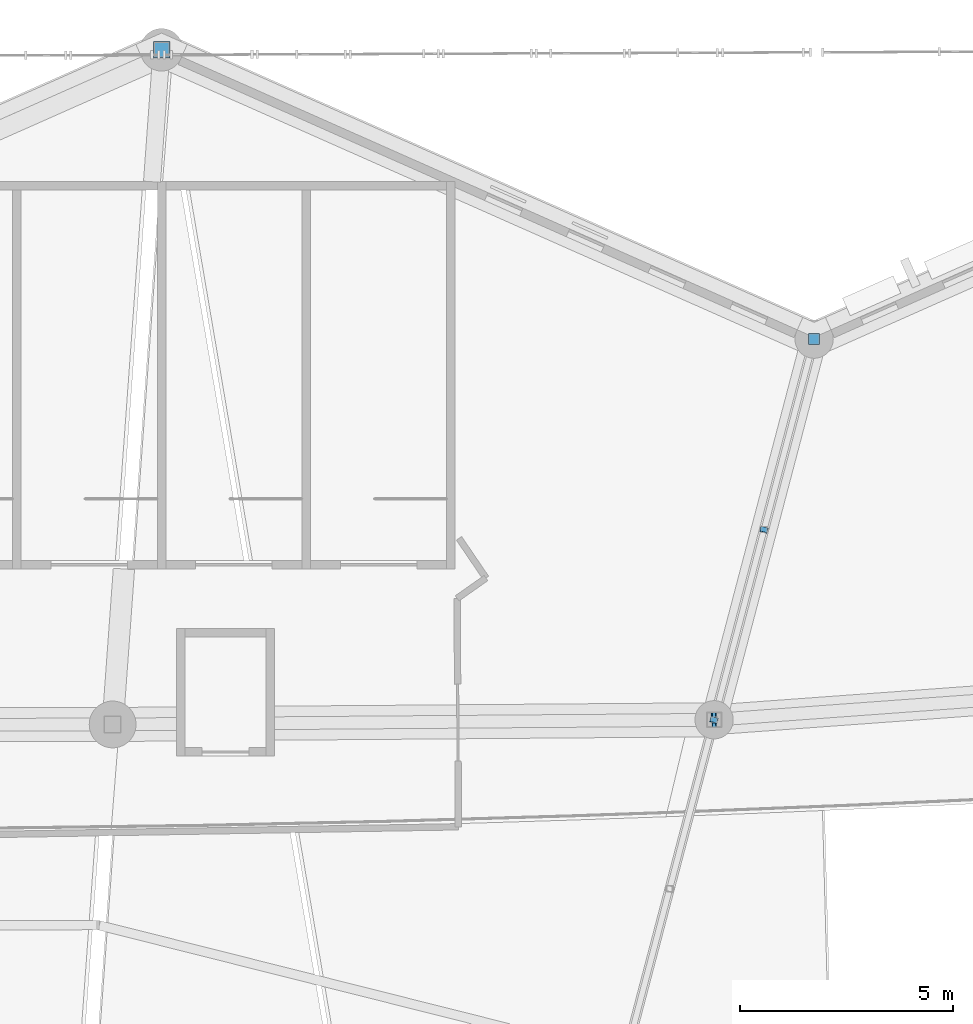
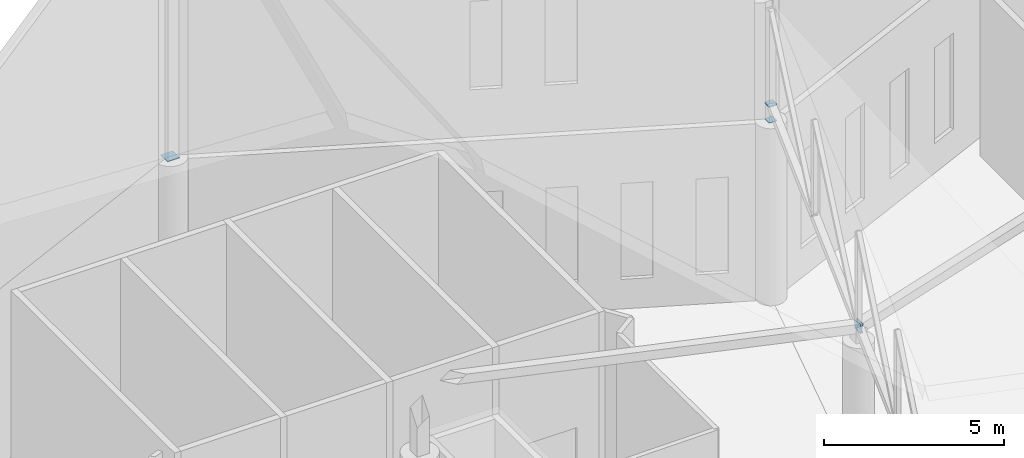
# One storey, part 327 of 344: 8 discrete accessories.
"""IFC4 building model written with IfcOpenShell, lengths in metres."""

from ifc_helpers import new_model, si_unit, direction, frame, origin, origin_2d, place, context, subcontext, project, spatial, rectangle, extrude, material, material_profile, profile_set, type_object, element, save


model = new_model("IFC4")

# Units and contexts
model_context = context("Model", 3, precision=1e-05, world=origin(), true_north=direction((0.0, 1.0)))
body_context = subcontext(model_context, "Body", "Model", "MODEL_VIEW")
ifc_project = project(units=[si_unit("LENGTHUNIT", "METRE"), si_unit("AREAUNIT", "SQUARE_METRE"), si_unit("VOLUMEUNIT", "CUBIC_METRE"), si_unit("PLANEANGLEUNIT", "RADIAN"), si_unit("MASSUNIT", "GRAM", prefix="KILO")], contexts=[model_context])

# Site, building, storey
site_placement = place(None, origin())
site = spatial("IfcSite", under=ifc_project, at=site_placement, CompositionType="ELEMENT")
building_placement = place(site_placement, origin())
building = spatial("IfcBuilding", under=site, at=building_placement, Name="Meseta Stadium", CompositionType="ELEMENT")
storey_placement = place(building_placement, frame((0.0, 0.0, 24.0)))
storey = spatial("IfcBuildingStorey", under=building, at=storey_placement, Name="L04", CompositionType="ELEMENT", Elevation=24.0)

# Discrete accessories
ifc_material_1 = material(Name="Steel S355", Category="steel")
ifc_material_profile_1 = material_profile(ifc_material_1, rectangle(XDim=0.179931640625, YDim=0.179931640625, at=origin_2d()), Name="PL 180x180")
ifc_profile_set_1 = profile_set([ifc_material_profile_1], Name="Steel S355")
discrete_accessory_type_1 = type_object("IfcDiscreteAccessoryType", Name="End plate 180x180x20", PredefinedType="ANCHORPLATE", material=ifc_profile_set_1)
for number, where, z_axis, x_axis, name in (
    (1, (20.645751953125, 89.641357421875, 5.23486328125), (0.194228544194, 0.740496324741, 0.643382052644), (-0.967279624391, 0.253712688365, 0.0), "End plate of ROOF TRUSS RT-17 diagonal"),
    (2, (21.82080078125, 94.11328125, 5.881103515625), (0.194228544194, 0.740496324741, 0.643382052644), (-0.967279624391, 0.253712688365, 0.0), "End plate of ROOF TRUSS RT-17 diagonal"),
):
    element("IfcDiscreteAccessory", number, at=place(storey_placement, frame(where, z_axis=z_axis, x_axis=x_axis)), inside=storey, type_object=discrete_accessory_type_1, Name=name, PredefinedType="ANCHORPLATE", context=body_context, shape_type="SweptSolid", body=[
        extrude(rectangle(XDim=0.179931640625, YDim=0.179931640625, at=origin_2d()), origin(), (0.0, 0.0, 1.0), 0.02001953125),
    ])
ifc_material_2 = material(Name="Steel S355", Category="steel")
ifc_material_profile_2 = material_profile(ifc_material_2, rectangle(XDim=0.260009765625, YDim=0.260009765625, at=origin_2d()), Name="PL 260x260")
ifc_profile_set_2 = profile_set([ifc_material_profile_2], Name="Steel S355")
discrete_accessory_type_2 = type_object("IfcDiscreteAccessoryType", Name="End plate 260x260x20", PredefinedType="ANCHORPLATE", material=ifc_profile_set_2)
for number, where, z_axis, x_axis, name in (
    (3, (23.0, 98.60009765625, 6.520263671875), (0.0, 0.0, 1.0), (1.0, 0.0, 0.0), "End plate of ROOF TRUSS RT-17 post"),
    (4, (23.0, 98.60009765625, 5.97998046875), (0.0, 0.0, 1.0), (1.0, 0.0, 0.0), "End plate of ROOF RIM POST RT-17"),
    (5, (23.0, 98.60009765625, 6.540283203125), (0.0, 0.0, 1.0), (1.0, 0.0, 0.0), "End plate of ROOF RIM POST RT-17"),
):
    element("IfcDiscreteAccessory", number, at=place(storey_placement, frame(where, z_axis=z_axis, x_axis=x_axis)), inside=storey, type_object=discrete_accessory_type_2, Name=name, PredefinedType="ANCHORPLATE", context=body_context, shape_type="SweptSolid", body=[
        extrude(rectangle(XDim=0.260009765625, YDim=0.260009765625, at=origin_2d()), origin(), (0.0, 0.0, 1.0), 0.02001953125),
    ])
ifc_material_3 = material(Name="Steel S355", Category="steel")
ifc_material_profile_3 = material_profile(ifc_material_3, rectangle(XDim=0.340087890625, YDim=0.340087890625, at=origin_2d()), Name="PL 340x340")
ifc_profile_set_3 = profile_set([ifc_material_profile_3], Name="Steel S355")
discrete_accessory_type_3 = type_object("IfcDiscreteAccessoryType", Name="End plate 340x340x20", PredefinedType="ANCHORPLATE", material=ifc_profile_set_3)
discrete_accessory_1_placement = place(storey_placement, frame((20.649658203125, 89.65625, 5.247802734375), z_axis=(-0.96758462767, -0.072568847075, -0.241896156917), x_axis=(0.074789948242, -0.997199309888, 0.0)))
element("IfcDiscreteAccessory", 6, at=discrete_accessory_1_placement, inside=storey, type_object=discrete_accessory_type_3, Name="End plate of ROOF PIVOT STRUT RT-16/17", PredefinedType="ANCHORPLATE", context=body_context, shape_type="SweptSolid", body=[
    extrude(rectangle(XDim=0.340087890625, YDim=0.340087890625, at=origin_2d()), origin(), (0.0, 0.0, 1.0), 0.020263671875),
])
discrete_accessory_2_placement = place(storey_placement, frame((20.669189453125, 89.656494140625, 5.243408203125), z_axis=(-0.97553721736, -0.012194215217, 0.219495873906), x_axis=(0.012499023552, -0.999921884154, 0.0)))
element("IfcDiscreteAccessory", 7, at=discrete_accessory_2_placement, inside=storey, type_object=discrete_accessory_type_3, Name="End plate of ROOF PIVOT STRUT RT-17/18", PredefinedType="ANCHORPLATE", context=body_context, shape_type="SweptSolid", body=[
    extrude(rectangle(XDim=0.340087890625, YDim=0.340087890625, at=origin_2d()), origin(), (0.0, 0.0, 1.0), 0.02001953125),
])
ifc_material_4 = material(Name="Steel S355", Category="steel")
ifc_material_profile_4 = material_profile(ifc_material_4, rectangle(XDim=0.389892578125, YDim=0.389892578125, at=origin_2d()), Name="PL 390x390")
ifc_profile_set_4 = profile_set([ifc_material_profile_4], Name="Steel S355")
discrete_accessory_type_4 = type_object("IfcDiscreteAccessoryType", Name="End plate 390x390x20", PredefinedType="ANCHORPLATE", material=ifc_profile_set_4)
discrete_accessory_3_placement = place(storey_placement, frame((7.666748046875, 105.39990234375, 5.97998046875), z_axis=(0.0, 0.0, 1.0), x_axis=(1.0, 0.0, 0.0)))
element("IfcDiscreteAccessory", 8, at=discrete_accessory_3_placement, inside=storey, type_object=discrete_accessory_type_4, Name="End plate of ROOF RIM POST RT-18", PredefinedType="ANCHORPLATE", context=body_context, shape_type="SweptSolid", body=[
    extrude(rectangle(XDim=0.389892578125, YDim=0.389892578125, at=origin_2d()), origin(), (0.0, 0.0, 1.0), 0.02001953125),
])

save(model, "model.ifc")
